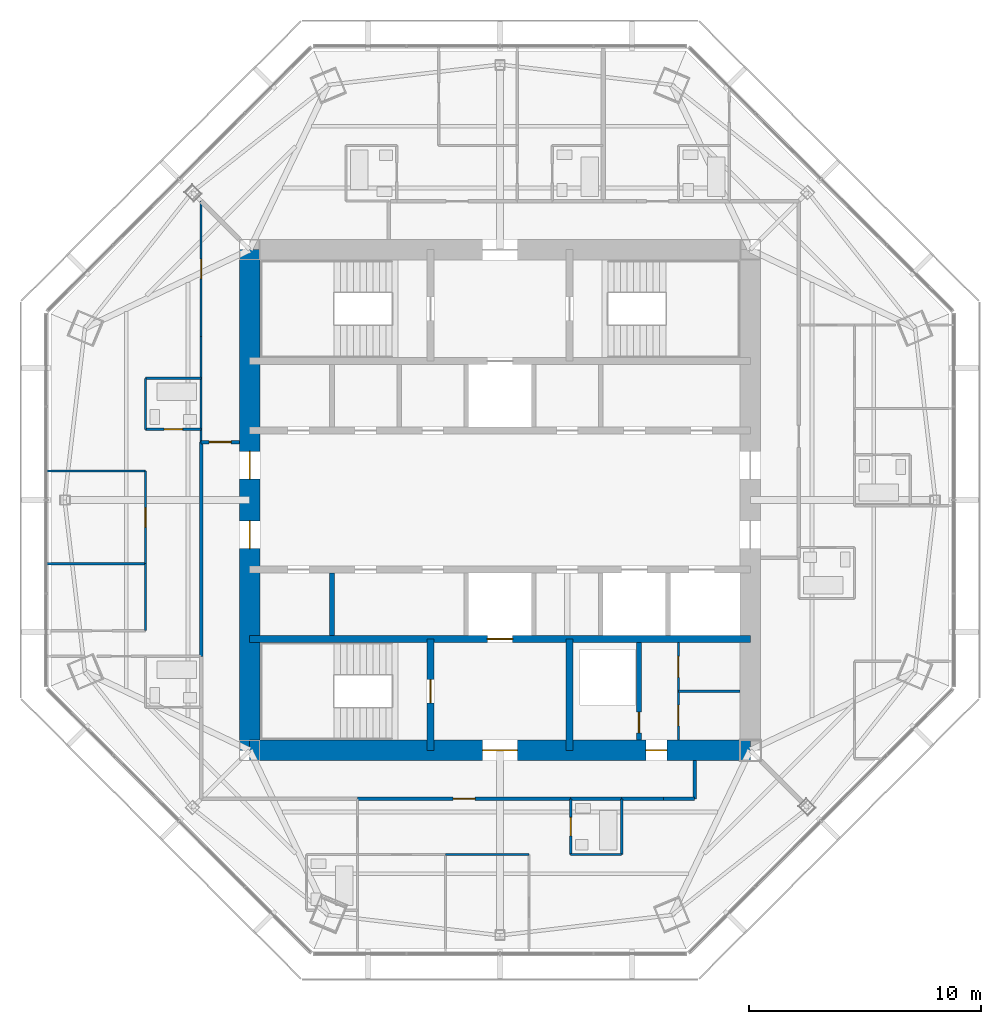
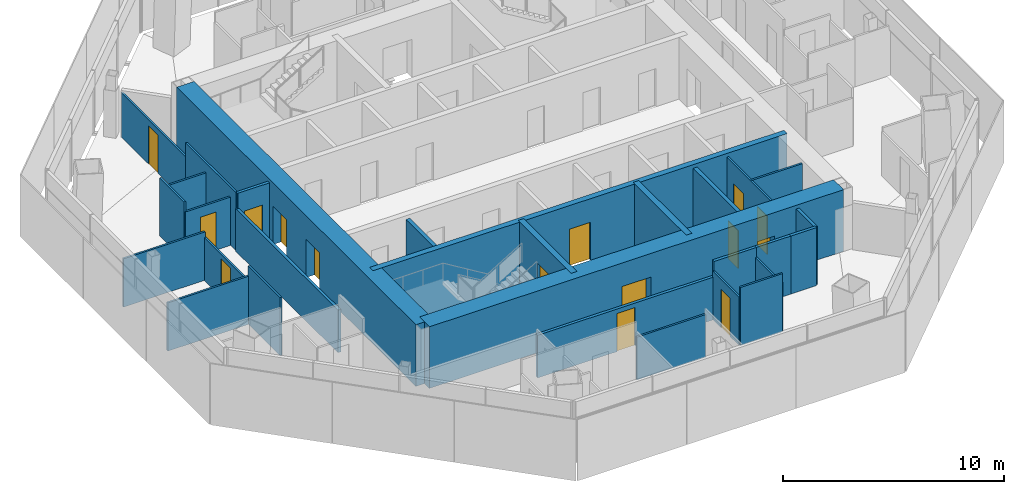
# One storey, part 9 of 15: 29 walls, 15 doors, 15 openings.
"""IFC4 building model written with IfcOpenShell, lengths in metres."""

from ifc_helpers import new_model, si_unit, direction, frame, frame_2d, origin, place, context, subcontext, project, spatial, rectangle, extrude, material, layer, layer_set, type_object, element, fill, save


model = new_model("IFC4")

# Units and contexts
model_context = context("Model", 3, precision=1e-05, world=origin(), true_north=direction((0.0, 1.0)))
body_context = subcontext(model_context, "Body", "Model", "MODEL_VIEW")
ifc_project = project(units=[si_unit("LENGTHUNIT", "METRE"), si_unit("AREAUNIT", "SQUARE_METRE"), si_unit("VOLUMEUNIT", "CUBIC_METRE"), si_unit("PLANEANGLEUNIT", "RADIAN"), si_unit("MASSUNIT", "GRAM", prefix="KILO")], contexts=[model_context])

# Site, building, storey
site_placement = place(None, origin())
site = spatial("IfcSite", under=ifc_project, at=site_placement, CompositionType="ELEMENT")
building_placement = place(site_placement, origin())
building = spatial("IfcBuilding", under=site, at=building_placement, Name="Mashrafa Tower", CompositionType="ELEMENT")
storey_placement = place(building_placement, frame((0.0, 0.0, 298.0)))
storey = spatial("IfcBuildingStorey", under=building, at=storey_placement, Name="L73", CompositionType="ELEMENT", Elevation=298.0)

# Wall, opening, door
ifc_material_1 = material(Name="Concrete masonry unit", Category="masonry")
ifc_layer_1 = layer(ifc_material_1, 0.199951171875)
ifc_layer_set_1 = layer_set([ifc_layer_1], Name="Blockwork wall 200 2 hr")
wall_type_1 = type_object("IfcWallType", Name="Blockwork wall 200 2 hr", PredefinedType="PARTITIONING", material=ifc_layer_set_1)
wall_1_placement = place(storey_placement, frame((6.0, -10.35009765625, 0.0), z_axis=(0.0, 0.0, 1.0), x_axis=(0.0, 1.0, 0.0)))
wall_1 = element("IfcWall", 1, at=wall_1_placement, inside=storey, type_object=wall_type_1, Name="Riser enclosure wall L73", PredefinedType="PARTITIONING", context=body_context, shape_type="SweptSolid", body=[
    extrude(rectangle(XDim=4.2001953125, YDim=0.199951171875, at=frame_2d((2.10009765625, 0.0))), origin(), (0.0, 0.0, 1.0), 3.199951171875),
])
opening_1_placement = place(wall_1_placement, frame((0.300048828125, 0.0, 0.0)))
opening_1 = element("IfcOpeningElement", 2, at=opening_1_placement, cuts=wall_1, Name="Opening 73.039", PredefinedType="OPENING", context=body_context, shape_type="SweptSolid", body=[
    extrude(rectangle(XDim=0.89990234375, YDim=2.10009765625, at=frame_2d((0.449951171875, 1.050048828125))), frame((0.0, 0.10986328125, 0.0), z_axis=(0.0, -1.0, 0.0), x_axis=(1.0, 0.0, 0.0)), (0.0, 0.0, 1.0), 0.219970703125),
])
ifc_material_2 = material(Name="Steel door", Category="steel")
door_type_1 = type_object("IfcDoorType", Name="Service door 900 x 2100 90 min", OperationType="USERDEFINED", PredefinedType="DOOR", material=ifc_material_2)
door_1_placement = place(opening_1_placement, origin())
door_1 = element("IfcDoor", 3, at=door_1_placement, inside=storey, type_object=door_type_1, Name="Riser door L73", OperationType="SINGLE_SWING_LEFT", OverallHeight=2.10009765625, OverallWidth=0.89990234375, PredefinedType="DOOR", context=body_context, shape_type="SweptSolid", body=[
    extrude(rectangle(XDim=0.89990234375, YDim=2.10009765625, at=frame_2d((0.449951171875, 1.050048828125))), frame((0.0, 0.02490234375, 0.0), z_axis=(0.0, -1.0, 0.0), x_axis=(1.0, 0.0, 0.0)), (0.0, 0.0, 1.0), 0.050048828125),
])
fill(opening_1, door_1)

ifc_material_3 = material(Name="Concrete C50/60", Category="concrete")
ifc_layer_2 = layer(ifc_material_3, 0.300048828125)
ifc_layer_set_2 = layer_set([ifc_layer_2], Name="Core wall 300 C50/60")
wall_type_2 = type_object("IfcWallType", Name="Core wall 300 C50/60", PredefinedType="SOLIDWALL", material=ifc_layer_set_2)
wall_2_placement = place(storey_placement, frame((-10.800048828125, -6.0, 0.0), z_axis=(0.0, 0.0, 1.0), x_axis=(1.0, 0.0, 0.0)))
wall_2 = element("IfcWall", 4, at=wall_2_placement, inside=storey, type_object=wall_type_2, Name="Core wall CB-S L73", PredefinedType="SOLIDWALL", context=body_context, shape_type="SweptSolid", body=[
    extrude(rectangle(XDim=21.60009765625, YDim=0.300048828125, at=frame_2d((10.800048828125, 0.0))), origin(), (0.0, 0.0, 1.0), 3.39990234375),
])
opening_2_placement = place(wall_2_placement, frame((10.25, 0.0, 0.0)))
opening_2 = element("IfcOpeningElement", 5, at=opening_2_placement, cuts=wall_2, Name="Opening 73.F2", PredefinedType="OPENING", context=body_context, shape_type="SweptSolid", body=[
    extrude(rectangle(XDim=1.10009765625, YDim=2.10009765625, at=frame_2d((0.550048828125, 1.050048828125))), frame((0.0, 0.159912109375, 0.0), z_axis=(0.0, -1.0, 0.0), x_axis=(1.0, 0.0, 0.0)), (0.0, 0.0, 1.0), 0.320068359375),
])
ifc_material_4 = material(Name="Steel door", Category="steel")
door_type_2 = type_object("IfcDoorType", Name="Lift landing door 1100 x 2100 90 min", OperationType="DOUBLE_DOOR_SLIDING", PredefinedType="DOOR", material=ifc_material_4)
door_2_placement = place(opening_2_placement, origin())
door_2 = element("IfcDoor", 6, at=door_2_placement, inside=storey, type_object=door_type_2, Name="Lift landing door F2 L73", OperationType="DOUBLE_DOOR_SLIDING", OverallHeight=2.10009765625, OverallWidth=1.10009765625, PredefinedType="DOOR", context=body_context, shape_type="SweptSolid", body=[
    extrude(rectangle(XDim=1.10009765625, YDim=2.10009765625, at=frame_2d((0.550048828125, 1.050048828125))), frame((0.0, 0.02490234375, 0.0), z_axis=(0.0, -1.0, 0.0), x_axis=(1.0, 0.0, 0.0)), (0.0, 0.0, 1.0), 0.050048828125),
])
fill(opening_2, door_2)

wall_3_placement = place(storey_placement, frame((-3.0, -6.0, 0.0), z_axis=(0.0, 0.0, 1.0), x_axis=(0.0, -1.0, 0.0)))
wall_3 = element("IfcWall", 7, at=wall_3_placement, inside=storey, type_object=wall_type_2, Name="Core wall CX-SW L73", PredefinedType="SOLIDWALL", context=body_context, shape_type="SweptSolid", body=[
    extrude(rectangle(XDim=4.800048828125, YDim=0.300048828125, at=frame_2d((2.39990234375, 0.0))), origin(), (0.0, 0.0, 1.0), 3.39990234375),
])
opening_3_placement = place(wall_3_placement, frame((1.75, 0.0, 0.0)))
opening_3 = element("IfcOpeningElement", 8, at=opening_3_placement, cuts=wall_3, Name="Opening 73.037", PredefinedType="OPENING", context=body_context, shape_type="SweptSolid", body=[
    extrude(rectangle(XDim=1.0, YDim=2.10009765625, at=frame_2d((0.5, 1.050048828125))), frame((0.0, 0.159912109375, 0.0), z_axis=(0.0, -1.0, 0.0), x_axis=(1.0, 0.0, 0.0)), (0.0, 0.0, 1.0), 0.320068359375),
])
ifc_material_5 = material(Name="Steel door", Category="steel")
door_type_3 = type_object("IfcDoorType", Name="Stair door 1000 x 2100 90 min", OperationType="USERDEFINED", PredefinedType="DOOR", material=ifc_material_5)
door_3_placement = place(opening_3_placement, frame((1.0, 0.0, 0.0), z_axis=(0.0, 0.0, 1.0), x_axis=(-1.0, 0.0, 0.0)))
door_3 = element("IfcDoor", 9, at=door_3_placement, inside=storey, type_object=door_type_3, Name="Stair S3 door L73", OperationType="SINGLE_SWING_RIGHT", OverallHeight=2.10009765625, OverallWidth=1.0, PredefinedType="DOOR", context=body_context, shape_type="SweptSolid", body=[
    extrude(rectangle(XDim=1.0, YDim=2.10009765625, at=frame_2d((0.5, 1.050048828125))), frame((0.0, 0.02490234375, 0.0), z_axis=(0.0, -1.0, 0.0), x_axis=(1.0, 0.0, 0.0)), (0.0, 0.0, 1.0), 0.050048828125),
])
fill(opening_3, door_3)

# Wall
wall_4_placement = place(storey_placement, frame((3.0, -6.0, 0.0), z_axis=(0.0, 0.0, 1.0), x_axis=(0.0, -1.0, 0.0)))
element("IfcWall", 10, at=wall_4_placement, inside=storey, type_object=wall_type_2, Name="Core wall CX-SE L73", PredefinedType="SOLIDWALL", context=body_context, shape_type="SweptSolid", body=[
    extrude(rectangle(XDim=4.800048828125, YDim=0.300048828125, at=frame_2d((2.39990234375, 0.0))), origin(), (0.0, 0.0, 1.0), 3.39990234375),
])

# Wall, openings, doors
ifc_material_6 = material(Name="Concrete C50/60", Category="concrete")
ifc_layer_3 = layer(ifc_material_6, 0.89990234375)
ifc_layer_set_3 = layer_set([ifc_layer_3], Name="Core wall 900 C50/60")
wall_type_3 = type_object("IfcWallType", Name="Core wall 900 C50/60", PredefinedType="SOLIDWALL", material=ifc_layer_set_3)
wall_5_placement = place(storey_placement, frame((-10.800048828125, -10.800048828125, 0.0), z_axis=(0.0, 0.0, 1.0), x_axis=(1.0, 0.0, 0.0)))
wall_5 = element("IfcWall", 11, at=wall_5_placement, inside=storey, type_object=wall_type_3, Name="Core wall CW-S L73", PredefinedType="SOLIDWALL", context=body_context, shape_type="SweptSolid", body=[
    extrude(rectangle(XDim=21.60009765625, YDim=0.89990234375, at=frame_2d((10.800048828125, 0.0))), origin(), (0.0, 0.0, 1.0), 3.39990234375),
])
opening_4_placement = place(wall_5_placement, frame((10.050048828125, 0.0, 0.0)))
opening_4 = element("IfcOpeningElement", 12, at=opening_4_placement, cuts=wall_5, Name="Opening 73.034", PredefinedType="OPENING", context=body_context, shape_type="SweptSolid", body=[
    extrude(rectangle(XDim=1.5, YDim=2.10009765625, at=frame_2d((0.75, 1.050048828125))), frame((0.0, 0.4599609375, 0.0), z_axis=(0.0, -1.0, 0.0), x_axis=(1.0, 0.0, 0.0)), (0.0, 0.0, 1.0), 0.919921875),
])
opening_5_placement = place(wall_5_placement, frame((17.10009765625, 0.0, 0.0)))
opening_5 = element("IfcOpeningElement", 13, at=opening_5_placement, cuts=wall_5, Name="Opening 73.038", PredefinedType="OPENING", context=body_context, shape_type="SweptSolid", body=[
    extrude(rectangle(XDim=0.89990234375, YDim=2.10009765625, at=frame_2d((0.449951171875, 1.050048828125))), frame((0.0, 0.4599609375, 0.0), z_axis=(0.0, -1.0, 0.0), x_axis=(1.0, 0.0, 0.0)), (0.0, 0.0, 1.0), 0.919921875),
])
ifc_material_7 = material(Name="Steel door", Category="steel")
door_type_4 = type_object("IfcDoorType", Name="Lobby door pair 1500 x 2100 90 min", OperationType="DOUBLE_DOOR_SINGLE_SWING", PredefinedType="DOOR", material=ifc_material_7)
door_4_placement = place(opening_4_placement, origin())
door_4 = element("IfcDoor", 14, at=door_4_placement, inside=storey, type_object=door_type_4, Name="Fire-fighting lobby F2 door L73", OperationType="DOUBLE_DOOR_SINGLE_SWING", OverallHeight=2.10009765625, OverallWidth=1.5, PredefinedType="DOOR", context=body_context, shape_type="SweptSolid", body=[
    extrude(rectangle(XDim=1.5, YDim=2.10009765625, at=frame_2d((0.75, 1.050048828125))), frame((0.0, 0.02490234375, 0.0), z_axis=(0.0, -1.0, 0.0), x_axis=(1.0, 0.0, 0.0)), (0.0, 0.0, 1.0), 0.050048828125),
])
fill(opening_4, door_4)
door_5_placement = place(opening_5_placement, frame((0.89990234375, 0.0, 0.0), z_axis=(0.0, 0.0, 1.0), x_axis=(-1.0, 0.0, 0.0)))
door_5 = element("IfcDoor", 15, at=door_5_placement, inside=storey, type_object=door_type_1, Name="Services Lobby L73 door", OperationType="SINGLE_SWING_LEFT", OverallHeight=2.10009765625, OverallWidth=0.89990234375, PredefinedType="DOOR", context=body_context, shape_type="SweptSolid", body=[
    extrude(rectangle(XDim=0.89990234375, YDim=2.10009765625, at=frame_2d((0.449951171875, 1.050048828125))), frame((0.0, 0.02490234375, 0.0), z_axis=(0.0, -1.0, 0.0), x_axis=(1.0, 0.0, 0.0)), (0.0, 0.0, 1.0), 0.050048828125),
])
fill(opening_5, door_5)

wall_6_placement = place(storey_placement, frame((-10.800048828125, 10.800048828125, 0.0), z_axis=(0.0, 0.0, 1.0), x_axis=(0.0, -1.0, 0.0)))
wall_6 = element("IfcWall", 16, at=wall_6_placement, inside=storey, type_object=wall_type_3, Name="Core wall CW-W L73", PredefinedType="SOLIDWALL", context=body_context, shape_type="SweptSolid", body=[
    extrude(rectangle(XDim=21.60009765625, YDim=0.89990234375, at=frame_2d((10.800048828125, 0.0))), origin(), (0.0, 0.0, 1.0), 3.39990234375),
])
opening_6_placement = place(wall_6_placement, frame((8.699951171875, 0.0, 0.0)))
opening_6 = element("IfcOpeningElement", 17, at=opening_6_placement, cuts=wall_6, Name="Opening 73.030", PredefinedType="OPENING", context=body_context, shape_type="SweptSolid", body=[
    extrude(rectangle(XDim=1.199951171875, YDim=2.10009765625, at=frame_2d((0.60009765625, 1.050048828125))), frame((0.0, 0.4599609375, 0.0), z_axis=(0.0, -1.0, 0.0), x_axis=(1.0, 0.0, 0.0)), (0.0, 0.0, 1.0), 0.919921875),
])
opening_7_placement = place(wall_6_placement, frame((11.699951171875, 0.0, 0.0)))
opening_7 = element("IfcOpeningElement", 18, at=opening_7_placement, cuts=wall_6, Name="Opening 73.032", PredefinedType="OPENING", context=body_context, shape_type="SweptSolid", body=[
    extrude(rectangle(XDim=1.199951171875, YDim=2.10009765625, at=frame_2d((0.60009765625, 1.050048828125))), frame((0.0, 0.4599609375, 0.0), z_axis=(0.0, -1.0, 0.0), x_axis=(1.0, 0.0, 0.0)), (0.0, 0.0, 1.0), 0.919921875),
])
ifc_material_8 = material(Name="Steel door", Category="steel")
door_type_5 = type_object("IfcDoorType", Name="Lift hall door 1200 x 2100 90 min", OperationType="USERDEFINED", PredefinedType="DOOR", material=ifc_material_8)
door_6_placement = place(opening_6_placement, origin())
door_6 = element("IfcDoor", 19, at=door_6_placement, inside=storey, type_object=door_type_5, Name="Lift hall door west L73", OperationType="SINGLE_SWING_LEFT", OverallHeight=2.10009765625, OverallWidth=1.199951171875, PredefinedType="DOOR", context=body_context, shape_type="SweptSolid", body=[
    extrude(rectangle(XDim=1.199951171875, YDim=2.10009765625, at=frame_2d((0.60009765625, 1.050048828125))), frame((0.0, 0.02490234375, 0.0), z_axis=(0.0, -1.0, 0.0), x_axis=(1.0, 0.0, 0.0)), (0.0, 0.0, 1.0), 0.050048828125),
])
fill(opening_6, door_6)
door_7_placement = place(opening_7_placement, frame((1.199951171875, 0.0, 0.0), z_axis=(0.0, 0.0, 1.0), x_axis=(-1.0, 0.0, 0.0)))
door_7 = element("IfcDoor", 20, at=door_7_placement, inside=storey, type_object=door_type_5, Name="Lift hall door west L73", OperationType="SINGLE_SWING_RIGHT", OverallHeight=2.10009765625, OverallWidth=1.199951171875, PredefinedType="DOOR", context=body_context, shape_type="SweptSolid", body=[
    extrude(rectangle(XDim=1.199951171875, YDim=2.10009765625, at=frame_2d((0.60009765625, 1.050048828125))), frame((0.0, 0.02490234375, 0.0), z_axis=(0.0, -1.0, 0.0), x_axis=(1.0, 0.0, 0.0)), (0.0, 0.0, 1.0), 0.050048828125),
])
fill(opening_7, door_7)

# Walls
ifc_material_9 = material(Name="Gypsum board on steel studs", Category="steel")
ifc_layer_4 = layer(ifc_material_9, 0.14990234375)
ifc_layer_set_4 = layer_set([ifc_layer_4], Name="Corridor partition 150 1 hr")
wall_type_4 = type_object("IfcWallType", Name="Corridor partition 150 1 hr", PredefinedType="PARTITIONING", material=ifc_layer_set_4)
wall_7_placement = place(storey_placement, frame((-12.89990234375, 2.5, 0.0), z_axis=(0.0, 0.0, 1.0), x_axis=(0.0, -1.0, 0.0)))
element("IfcWall", 21, at=wall_7_placement, inside=storey, type_object=wall_type_4, Name="Corridor wall L73-016", PredefinedType="PARTITIONING", context=body_context, shape_type="SweptSolid", body=[
    extrude(rectangle(XDim=9.2509765625, YDim=0.14990234375, at=frame_2d((4.62548828125, 0.0))), origin(), (0.0, 0.0, 1.0), 2.349365234375),
])
wall_8_placement = place(storey_placement, frame((5.2490234375, -12.89990234375, 0.0), z_axis=(0.0, 0.0, 1.0), x_axis=(1.0, 0.0, 0.0)))
element("IfcWall", 22, at=wall_8_placement, inside=storey, type_object=wall_type_4, Name="Corridor wall L73-017", PredefinedType="PARTITIONING", context=body_context, shape_type="SweptSolid", body=[
    extrude(rectangle(XDim=1.802001953125, YDim=0.14990234375, at=frame_2d((0.90087890625, 0.0))), origin(), (0.0, 0.0, 1.0), 3.199951171875),
])
wall_9_placement = place(storey_placement, frame((3.049072265625, -12.89990234375, 0.0), z_axis=(0.0, 0.0, 1.0), x_axis=(1.0, 0.0, 0.0)))
element("IfcWall", 23, at=wall_9_placement, inside=storey, type_object=wall_type_4, Name="Corridor wall L73-018", PredefinedType="PARTITIONING", context=body_context, shape_type="SweptSolid", body=[
    extrude(rectangle(XDim=2.201904296875, YDim=0.14990234375, at=frame_2d((1.10107421875, 0.0))), origin(), (0.0, 0.0, 1.0), 3.199951171875),
])

# Wall, opening, door
wall_10_placement = place(storey_placement, frame((-6.15087890625, -12.89990234375, 0.0), z_axis=(0.0, 0.0, 1.0), x_axis=(1.0, 0.0, 0.0)))
wall_10 = element("IfcWall", 24, at=wall_10_placement, inside=storey, type_object=wall_type_4, Name="Corridor wall L73-020", PredefinedType="PARTITIONING", context=body_context, shape_type="SweptSolid", body=[
    extrude(rectangle(XDim=9.201904296875, YDim=0.14990234375, at=frame_2d((4.60107421875, 0.0))), origin(), (0.0, 0.0, 1.0), 2.349365234375),
])
opening_8_placement = place(wall_10_placement, frame((4.1259765625, 0.0, 0.0)))
opening_8 = element("IfcOpeningElement", 25, at=opening_8_placement, cuts=wall_10, Name="Opening 73.027", PredefinedType="OPENING", context=body_context, shape_type="SweptSolid", body=[
    extrude(rectangle(XDim=0.949951171875, YDim=2.10009765625, at=frame_2d((0.47509765625, 1.050048828125))), frame((0.0, 0.0849609375, 0.0), z_axis=(0.0, -1.0, 0.0), x_axis=(1.0, 0.0, 0.0)), (0.0, 0.0, 1.0), 0.169921875),
])
ifc_material_10 = material(Name="Steel door", Category="steel")
door_type_6 = type_object("IfcDoorType", Name="Residence entrance door 950 x 2100 20 min", OperationType="USERDEFINED", PredefinedType="DOOR", material=ifc_material_10)
door_8_placement = place(opening_8_placement, frame((0.949951171875, 0.0, 0.0), z_axis=(0.0, 0.0, 1.0), x_axis=(-1.0, 0.0, 0.0)))
door_8 = element("IfcDoor", 26, at=door_8_placement, inside=storey, type_object=door_type_6, Name="Apartment 7305 Living Room door", OperationType="SINGLE_SWING_RIGHT", OverallHeight=2.10009765625, OverallWidth=0.949951171875, PredefinedType="DOOR", context=body_context, shape_type="SweptSolid", body=[
    extrude(rectangle(XDim=0.949951171875, YDim=2.10009765625, at=frame_2d((0.47509765625, 1.050048828125))), frame((0.0, 0.02490234375, 0.0), z_axis=(0.0, -1.0, 0.0), x_axis=(1.0, 0.0, 0.0)), (0.0, 0.0, 1.0), 0.050048828125),
])
fill(opening_8, door_8)

# Walls
wall_11_placement = place(storey_placement, frame((7.049072265625, -12.89990234375, 0.0), z_axis=(0.0, 0.0, 1.0), x_axis=(1.0, 0.0, 0.0)))
element("IfcWall", 27, at=wall_11_placement, inside=storey, type_object=wall_type_4, Name="Corridor wall L73-021", PredefinedType="PARTITIONING", context=body_context, shape_type="SweptSolid", body=[
    extrude(rectangle(XDim=1.350830078125, YDim=0.14990234375, at=frame_2d((0.67529296875, 0.0))), origin(), (0.0, 0.0, 1.0), 3.199951171875),
])
wall_12_placement = place(storey_placement, frame((8.39990234375, -12.89990234375, 0.0), z_axis=(0.0, 0.0, 1.0), x_axis=(0.0, 1.0, 0.0)))
element("IfcWall", 28, at=wall_12_placement, inside=storey, type_object=wall_type_4, Name="Corridor wall L73-022", PredefinedType="PARTITIONING", context=body_context, shape_type="SweptSolid", body=[
    extrude(rectangle(XDim=1.64990234375, YDim=0.14990234375, at=frame_2d((0.824951171875, 0.0))), origin(), (0.0, 0.0, 1.0), 3.199951171875),
])

# Wall, opening, door
wall_13_placement = place(storey_placement, frame((-11.25, 2.5, 0.0), z_axis=(0.0, 0.0, 1.0), x_axis=(-1.0, 0.0, 0.0)))
wall_13 = element("IfcWall", 29, at=wall_13_placement, inside=storey, type_object=wall_type_4, Name="Corridor wall L73-023", PredefinedType="PARTITIONING", context=body_context, shape_type="SweptSolid", body=[
    extrude(rectangle(XDim=1.64990234375, YDim=0.14990234375, at=frame_2d((0.824951171875, 0.0))), origin(), (0.0, 0.0, 1.0), 3.199951171875),
])
opening_9_placement = place(wall_13_placement, frame((0.35009765625, 0.0, 0.0)))
opening_9 = element("IfcOpeningElement", 30, at=opening_9_placement, cuts=wall_13, Name="Opening 73.028", PredefinedType="OPENING", context=body_context, shape_type="SweptSolid", body=[
    extrude(rectangle(XDim=0.949951171875, YDim=2.10009765625, at=frame_2d((0.47509765625, 1.050048828125))), frame((0.0, 0.0849609375, 0.0), z_axis=(0.0, -1.0, 0.0), x_axis=(1.0, 0.0, 0.0)), (0.0, 0.0, 1.0), 0.169921875),
])
door_9_placement = place(opening_9_placement, origin())
door_9 = element("IfcDoor", 31, at=door_9_placement, inside=storey, type_object=door_type_6, Name="Apartment 7304 Entrance Hall door", OperationType="SINGLE_SWING_RIGHT", OverallHeight=2.10009765625, OverallWidth=0.949951171875, PredefinedType="DOOR", context=body_context, shape_type="SweptSolid", body=[
    extrude(rectangle(XDim=0.949951171875, YDim=2.10009765625, at=frame_2d((0.47509765625, 1.050048828125))), frame((0.0, 0.02490234375, 0.0), z_axis=(0.0, -1.0, 0.0), x_axis=(1.0, 0.0, 0.0)), (0.0, 0.0, 1.0), 0.050048828125),
])
fill(opening_9, door_9)

# Walls
ifc_material_11 = material(Name="Gypsum board on steel studs", Category="steel")
ifc_layer_5 = layer(ifc_material_11, 0.10009765625)
ifc_layer_set_5 = layer_set([ifc_layer_5], Name="Partition 100")
wall_type_5 = type_object("IfcWallType", Name="Partition 100", PredefinedType="PARTITIONING", material=ifc_layer_set_5)
wall_14_placement = place(storey_placement, frame((-15.300048828125, -2.75, 0.0), z_axis=(0.0, 0.0, 1.0), x_axis=(-1.0, 0.0, 0.0)))
element("IfcWall", 32, at=wall_14_placement, inside=storey, type_object=wall_type_5, Name="Partition wall L73-024", PredefinedType="PARTITIONING", context=body_context, shape_type="SweptSolid", body=[
    extrude(rectangle(XDim=4.2666015625, YDim=0.10009765625, at=frame_2d((2.13330078125, 0.0))), origin(), (0.0, 0.0, 1.0), 2.66162109375),
])
wall_15_placement = place(storey_placement, frame((-15.300048828125, -5.639404296875, 0.0), z_axis=(0.0, 0.0, 1.0), x_axis=(0.0, 1.0, 0.0)))
element("IfcWall", 33, at=wall_15_placement, inside=storey, type_object=wall_type_5, Name="Partition wall L73-026", PredefinedType="PARTITIONING", context=body_context, shape_type="SweptSolid", body=[
    extrude(rectangle(XDim=2.889404296875, YDim=0.10009765625, at=frame_2d((1.44482421875, 0.0))), origin(), (0.0, 0.0, 1.0), 3.199951171875),
])
wall_16_placement = place(storey_placement, frame((-15.300048828125, 5.25, 0.0), z_axis=(0.0, 0.0, 1.0), x_axis=(1.0, 0.0, 0.0)))
element("IfcWall", 34, at=wall_16_placement, inside=storey, type_object=wall_type_5, Name="Partition wall L73-064", PredefinedType="PARTITIONING", context=body_context, shape_type="SweptSolid", body=[
    extrude(rectangle(XDim=2.400146484375, YDim=0.10009765625, at=frame_2d((1.2001953125, 0.0))), origin(), (0.0, 0.0, 1.0), 2.66162109375),
])
wall_17_placement = place(storey_placement, frame((-12.89990234375, 7.050048828125, 0.0), z_axis=(0.0, 0.0, 1.0), x_axis=(0.0, -1.0, 0.0)))
element("IfcWall", 35, at=wall_17_placement, inside=storey, type_object=wall_type_5, Name="Partition wall L73-065", PredefinedType="PARTITIONING", context=body_context, shape_type="SweptSolid", body=[
    extrude(rectangle(XDim=4.551025390625, YDim=0.10009765625, at=frame_2d((2.275390625, 0.0))), origin(), (0.0, 0.0, 1.0), 3.199951171875),
])
wall_18_placement = place(storey_placement, frame((-15.300048828125, 5.25, 0.0), z_axis=(0.0, 0.0, 1.0), x_axis=(0.0, -1.0, 0.0)))
element("IfcWall", 36, at=wall_18_placement, inside=storey, type_object=wall_type_5, Name="Partition wall L73-066", PredefinedType="PARTITIONING", context=body_context, shape_type="SweptSolid", body=[
    extrude(rectangle(XDim=2.199951171875, YDim=0.10009765625, at=frame_2d((1.10009765625, 0.0))), origin(), (0.0, 0.0, 1.0), 3.199951171875),
])

# Wall, opening, door
wall_19_placement = place(storey_placement, frame((-15.300048828125, 3.050048828125, 0.0), z_axis=(0.0, 0.0, 1.0), x_axis=(1.0, 0.0, 0.0)))
wall_19 = element("IfcWall", 37, at=wall_19_placement, inside=storey, type_object=wall_type_5, Name="Partition wall L73-067", PredefinedType="PARTITIONING", context=body_context, shape_type="SweptSolid", body=[
    extrude(rectangle(XDim=2.400146484375, YDim=0.10009765625, at=frame_2d((1.2001953125, 0.0))), origin(), (0.0, 0.0, 1.0), 2.66162109375),
])
opening_10_placement = place(wall_19_placement, frame((0.800048828125, 0.0, 0.0)))
opening_10 = element("IfcOpeningElement", 38, at=opening_10_placement, cuts=wall_19, Name="Opening 73.017", PredefinedType="OPENING", context=body_context, shape_type="SweptSolid", body=[
    extrude(rectangle(XDim=0.800048828125, YDim=2.10009765625, at=frame_2d((0.39990234375, 1.050048828125))), frame((0.0, 0.06005859375, 0.0), z_axis=(0.0, -1.0, 0.0), x_axis=(1.0, 0.0, 0.0)), (0.0, 0.0, 1.0), 0.1201171875),
])
ifc_material_12 = material(Name="Timber door", Category="wood")
door_type_7 = type_object("IfcDoorType", Name="Bathroom door 800 x 2100", OperationType="USERDEFINED", PredefinedType="DOOR", material=ifc_material_12)
door_10_placement = place(opening_10_placement, origin())
door_10 = element("IfcDoor", 39, at=door_10_placement, inside=storey, type_object=door_type_7, Name="Apartment 7304 Bathroom door", OperationType="SINGLE_SWING_RIGHT", OverallHeight=2.10009765625, OverallWidth=0.800048828125, PredefinedType="DOOR", context=body_context, shape_type="SweptSolid", body=[
    extrude(rectangle(XDim=0.800048828125, YDim=2.10009765625, at=frame_2d((0.39990234375, 1.050048828125))), frame((0.0, 0.02490234375, 0.0), z_axis=(0.0, -1.0, 0.0), x_axis=(1.0, 0.0, 0.0)), (0.0, 0.0, 1.0), 0.050048828125),
])
fill(opening_10, door_10)

wall_20_placement = place(storey_placement, frame((-15.300048828125, -2.75, 0.0), z_axis=(0.0, 0.0, 1.0), x_axis=(0.0, 1.0, 0.0)))
wall_20 = element("IfcWall", 40, at=wall_20_placement, inside=storey, type_object=wall_type_5, Name="Partition wall L73-069", PredefinedType="PARTITIONING", context=body_context, shape_type="SweptSolid", body=[
    extrude(rectangle(XDim=4.0, YDim=0.10009765625, at=frame_2d((2.0, 0.0))), origin(), (0.0, 0.0, 1.0), 2.349365234375),
])
opening_11_placement = place(wall_20_placement, frame((1.574951171875, 0.0, 0.0)))
opening_11 = element("IfcOpeningElement", 41, at=opening_11_placement, cuts=wall_20, Name="Opening 73.018", PredefinedType="OPENING", context=body_context, shape_type="SweptSolid", body=[
    extrude(rectangle(XDim=0.85009765625, YDim=2.10009765625, at=frame_2d((0.425048828125, 1.050048828125))), frame((0.0, 0.06005859375, 0.0), z_axis=(0.0, -1.0, 0.0), x_axis=(1.0, 0.0, 0.0)), (0.0, 0.0, 1.0), 0.1201171875),
])
ifc_material_13 = material(Name="Timber door", Category="wood")
door_type_8 = type_object("IfcDoorType", Name="Bedroom door 850 x 2100", OperationType="USERDEFINED", PredefinedType="DOOR", material=ifc_material_13)
door_11_placement = place(opening_11_placement, origin())
door_11 = element("IfcDoor", 42, at=door_11_placement, inside=storey, type_object=door_type_8, Name="Apartment 7304 Bedroom 1 door", OperationType="SINGLE_SWING_LEFT", OverallHeight=2.10009765625, OverallWidth=0.85009765625, PredefinedType="DOOR", context=body_context, shape_type="SweptSolid", body=[
    extrude(rectangle(XDim=0.85009765625, YDim=2.10009765625, at=frame_2d((0.425048828125, 1.050048828125))), frame((0.0, 0.02490234375, 0.0), z_axis=(0.0, -1.0, 0.0), x_axis=(1.0, 0.0, 0.0)), (0.0, 0.0, 1.0), 0.050048828125),
])
fill(opening_11, door_11)

# Wall
wall_21_placement = place(storey_placement, frame((-15.300048828125, 1.25, 0.0), z_axis=(0.0, 0.0, 1.0), x_axis=(-1.0, 0.0, 0.0)))
element("IfcWall", 43, at=wall_21_placement, inside=storey, type_object=wall_type_5, Name="Partition wall L73-070", PredefinedType="PARTITIONING", context=body_context, shape_type="SweptSolid", body=[
    extrude(rectangle(XDim=4.2666015625, YDim=0.10009765625, at=frame_2d((2.13330078125, 0.0))), origin(), (0.0, 0.0, 1.0), 2.66162109375),
])

# Wall, opening, door
wall_22_placement = place(storey_placement, frame((-12.89990234375, 7.050048828125, 0.0), z_axis=(0.0, 0.0, 1.0), x_axis=(0.0, 1.0, 0.0)))
wall_22 = element("IfcWall", 44, at=wall_22_placement, inside=storey, type_object=wall_type_5, Name="Partition wall L73-077", PredefinedType="PARTITIONING", context=body_context, shape_type="SweptSolid", body=[
    extrude(rectangle(XDim=5.849853515625, YDim=0.10009765625, at=frame_2d((2.9248046875, 0.0))), origin(), (0.0, 0.0, 1.0), 2.435546875),
])
opening_12_placement = place(wall_22_placement, frame((2.5, 0.0, 0.0)))
opening_12 = element("IfcOpeningElement", 45, at=opening_12_placement, cuts=wall_22, Name="Opening 73.021", PredefinedType="OPENING", context=body_context, shape_type="SweptSolid", body=[
    extrude(rectangle(XDim=0.85009765625, YDim=2.10009765625, at=frame_2d((0.425048828125, 1.050048828125))), frame((0.0, 0.06005859375, 0.0), z_axis=(0.0, -1.0, 0.0), x_axis=(1.0, 0.0, 0.0)), (0.0, 0.0, 1.0), 0.1201171875),
])
door_12_placement = place(opening_12_placement, origin())
door_12 = element("IfcDoor", 46, at=door_12_placement, inside=storey, type_object=door_type_8, Name="Apartment 7304 Living Room door", OperationType="SINGLE_SWING_RIGHT", OverallHeight=2.10009765625, OverallWidth=0.85009765625, PredefinedType="DOOR", context=body_context, shape_type="SweptSolid", body=[
    extrude(rectangle(XDim=0.85009765625, YDim=2.10009765625, at=frame_2d((0.425048828125, 1.050048828125))), frame((0.0, 0.02490234375, 0.0), z_axis=(0.0, -1.0, 0.0), x_axis=(1.0, 0.0, 0.0)), (0.0, 0.0, 1.0), 0.050048828125),
])
fill(opening_12, door_12)

# Wall
wall_23_placement = place(storey_placement, frame((5.25, -12.89990234375, 0.0), z_axis=(0.0, 0.0, 1.0), x_axis=(0.0, -1.0, 0.0)))
element("IfcWall", 47, at=wall_23_placement, inside=storey, type_object=wall_type_5, Name="Partition wall L73-078", PredefinedType="PARTITIONING", context=body_context, shape_type="SweptSolid", body=[
    extrude(rectangle(XDim=2.400146484375, YDim=0.10009765625, at=frame_2d((1.2001953125, 0.0))), origin(), (0.0, 0.0, 1.0), 2.66162109375),
])

# Wall, opening, door
wall_24_placement = place(storey_placement, frame((3.050048828125, -12.89990234375, 0.0), z_axis=(0.0, 0.0, 1.0), x_axis=(0.0, -1.0, 0.0)))
wall_24 = element("IfcWall", 48, at=wall_24_placement, inside=storey, type_object=wall_type_5, Name="Partition wall L73-079", PredefinedType="PARTITIONING", context=body_context, shape_type="SweptSolid", body=[
    extrude(rectangle(XDim=2.400146484375, YDim=0.10009765625, at=frame_2d((1.2001953125, 0.0))), origin(), (0.0, 0.0, 1.0), 2.66162109375),
])
opening_13_placement = place(wall_24_placement, frame((0.800048828125, 0.0, 0.0)))
opening_13 = element("IfcOpeningElement", 49, at=opening_13_placement, cuts=wall_24, Name="Opening 73.022", PredefinedType="OPENING", context=body_context, shape_type="SweptSolid", body=[
    extrude(rectangle(XDim=0.800048828125, YDim=2.10009765625, at=frame_2d((0.39990234375, 1.050048828125))), frame((0.0, 0.06005859375, 0.0), z_axis=(0.0, -1.0, 0.0), x_axis=(1.0, 0.0, 0.0)), (0.0, 0.0, 1.0), 0.1201171875),
])
door_13_placement = place(opening_13_placement, origin())
door_13 = element("IfcDoor", 50, at=door_13_placement, inside=storey, type_object=door_type_7, Name="Apartment 7305 Bathroom door", OperationType="SINGLE_SWING_LEFT", OverallHeight=2.10009765625, OverallWidth=0.800048828125, PredefinedType="DOOR", context=body_context, shape_type="SweptSolid", body=[
    extrude(rectangle(XDim=0.800048828125, YDim=2.10009765625, at=frame_2d((0.39990234375, 1.050048828125))), frame((0.0, 0.02490234375, 0.0), z_axis=(0.0, -1.0, 0.0), x_axis=(1.0, 0.0, 0.0)), (0.0, 0.0, 1.0), 0.050048828125),
])
fill(opening_13, door_13)

# Walls
wall_25_placement = place(storey_placement, frame((3.050048828125, -15.300048828125, 0.0), z_axis=(0.0, 0.0, 1.0), x_axis=(1.0, 0.0, 0.0)))
element("IfcWall", 51, at=wall_25_placement, inside=storey, type_object=wall_type_5, Name="Partition wall L73-080", PredefinedType="PARTITIONING", context=body_context, shape_type="SweptSolid", body=[
    extrude(rectangle(XDim=2.199951171875, YDim=0.10009765625, at=frame_2d((1.10009765625, 0.0))), origin(), (0.0, 0.0, 1.0), 3.199951171875),
])
wall_26_placement = place(storey_placement, frame((1.25, -15.300048828125, 0.0), z_axis=(0.0, 0.0, 1.0), x_axis=(-1.0, 0.0, 0.0)))
element("IfcWall", 52, at=wall_26_placement, inside=storey, type_object=wall_type_5, Name="Partition wall L73-083", PredefinedType="PARTITIONING", context=body_context, shape_type="SweptSolid", body=[
    extrude(rectangle(XDim=3.60009765625, YDim=0.10009765625, at=frame_2d((1.800048828125, 0.0))), origin(), (0.0, 0.0, 1.0), 2.349365234375),
])

# Wall, openings, doors
ifc_material_14 = material(Name="Gypsum board on steel studs", Category="steel")
ifc_layer_6 = layer(ifc_material_14, 0.10009765625)
ifc_layer_set_6 = layer_set([ifc_layer_6], Name="Partition 100 1 hr")
wall_type_6 = type_object("IfcWallType", Name="Partition 100 1 hr", PredefinedType="PARTITIONING", material=ifc_layer_set_6)
wall_27_placement = place(storey_placement, frame((7.699951171875, -10.35009765625, 0.0), z_axis=(0.0, 0.0, 1.0), x_axis=(0.0, 1.0, 0.0)))
wall_27 = element("IfcWall", 53, at=wall_27_placement, inside=storey, type_object=wall_type_6, Name="Services lobby partition A L73", PredefinedType="PARTITIONING", context=body_context, shape_type="SweptSolid", body=[
    extrude(rectangle(XDim=4.2001953125, YDim=0.10009765625, at=frame_2d((2.10009765625, 0.0))), origin(), (0.0, 0.0, 1.0), 3.199951171875),
])
opening_14_placement = place(wall_27_placement, frame((2.699951171875, 0.0, 0.0)))
opening_14 = element("IfcOpeningElement", 54, at=opening_14_placement, cuts=wall_27, Name="Opening 73.040", PredefinedType="OPENING", context=body_context, shape_type="SweptSolid", body=[
    extrude(rectangle(XDim=0.89990234375, YDim=2.10009765625, at=frame_2d((0.449951171875, 1.050048828125))), frame((0.0, 0.06005859375, 0.0), z_axis=(0.0, -1.0, 0.0), x_axis=(1.0, 0.0, 0.0)), (0.0, 0.0, 1.0), 0.1201171875),
])
opening_15_placement = place(wall_27_placement, frame((0.60009765625, 0.0, 0.0)))
opening_15 = element("IfcOpeningElement", 55, at=opening_15_placement, cuts=wall_27, Name="Opening 73.041", PredefinedType="OPENING", context=body_context, shape_type="SweptSolid", body=[
    extrude(rectangle(XDim=0.89990234375, YDim=2.10009765625, at=frame_2d((0.449951171875, 1.050048828125))), frame((0.0, 0.06005859375, 0.0), z_axis=(0.0, -1.0, 0.0), x_axis=(1.0, 0.0, 0.0)), (0.0, 0.0, 1.0), 0.1201171875),
])
ifc_material_15 = material(Name="Timber door", Category="wood")
door_type_9 = type_object("IfcDoorType", Name="Store door 900 x 2100", OperationType="USERDEFINED", PredefinedType="DOOR", material=ifc_material_15)
door_14_placement = place(opening_14_placement, frame((0.89990234375, 0.0, 0.0), z_axis=(0.0, 0.0, 1.0), x_axis=(-1.0, 0.0, 0.0)))
door_14 = element("IfcDoor", 56, at=door_14_placement, inside=storey, type_object=door_type_9, Name="Communications Room L73 door", OperationType="SINGLE_SWING_RIGHT", OverallHeight=2.10009765625, OverallWidth=0.89990234375, PredefinedType="DOOR", context=body_context, shape_type="SweptSolid", body=[
    extrude(rectangle(XDim=0.89990234375, YDim=2.10009765625, at=frame_2d((0.449951171875, 1.050048828125))), frame((0.0, 0.02490234375, 0.0), z_axis=(0.0, -1.0, 0.0), x_axis=(1.0, 0.0, 0.0)), (0.0, 0.0, 1.0), 0.050048828125),
])
fill(opening_14, door_14)
door_15_placement = place(opening_15_placement, frame((0.89990234375, 0.0, 0.0), z_axis=(0.0, 0.0, 1.0), x_axis=(-1.0, 0.0, 0.0)))
door_15 = element("IfcDoor", 57, at=door_15_placement, inside=storey, type_object=door_type_9, Name="Building Services Store L73 door", OperationType="SINGLE_SWING_LEFT", OverallHeight=2.10009765625, OverallWidth=0.89990234375, PredefinedType="DOOR", context=body_context, shape_type="SweptSolid", body=[
    extrude(rectangle(XDim=0.89990234375, YDim=2.10009765625, at=frame_2d((0.449951171875, 1.050048828125))), frame((0.0, 0.02490234375, 0.0), z_axis=(0.0, -1.0, 0.0), x_axis=(1.0, 0.0, 0.0)), (0.0, 0.0, 1.0), 0.050048828125),
])
fill(opening_15, door_15)

# Walls
wall_28_placement = place(storey_placement, frame((7.699951171875, -8.25, 0.0), z_axis=(0.0, 0.0, 1.0), x_axis=(1.0, 0.0, 0.0)))
element("IfcWall", 58, at=wall_28_placement, inside=storey, type_object=wall_type_6, Name="Services lobby partition B L73", PredefinedType="PARTITIONING", context=body_context, shape_type="SweptSolid", body=[
    extrude(rectangle(XDim=2.650146484375, YDim=0.10009765625, at=frame_2d((1.3251953125, 0.0))), origin(), (0.0, 0.0, 1.0), 3.199951171875),
])
ifc_material_16 = material(Name="Gypsum shaft wall on steel studs", Category="steel")
ifc_layer_7 = layer(ifc_material_16, 0.199951171875)
ifc_layer_set_7 = layer_set([ifc_layer_7], Name="Shaft divider wall 200 2 hr")
wall_type_7 = type_object("IfcWallType", Name="Shaft divider wall 200 2 hr", PredefinedType="PARTITIONING", material=ifc_layer_set_7)
wall_29_placement = place(storey_placement, frame((-7.25, -5.85009765625, 0.0), z_axis=(0.0, 0.0, 1.0), x_axis=(0.0, 1.0, 0.0)))
element("IfcWall", 59, at=wall_29_placement, inside=storey, type_object=wall_type_7, Name="Shaft divider wall S1 L73", PredefinedType="PARTITIONING", context=body_context, shape_type="SweptSolid", body=[
    extrude(rectangle(XDim=2.7001953125, YDim=0.199951171875, at=frame_2d((1.35009765625, 0.0))), origin(), (0.0, 0.0, 1.0), 3.199951171875),
])

save(model, "model.ifc")
